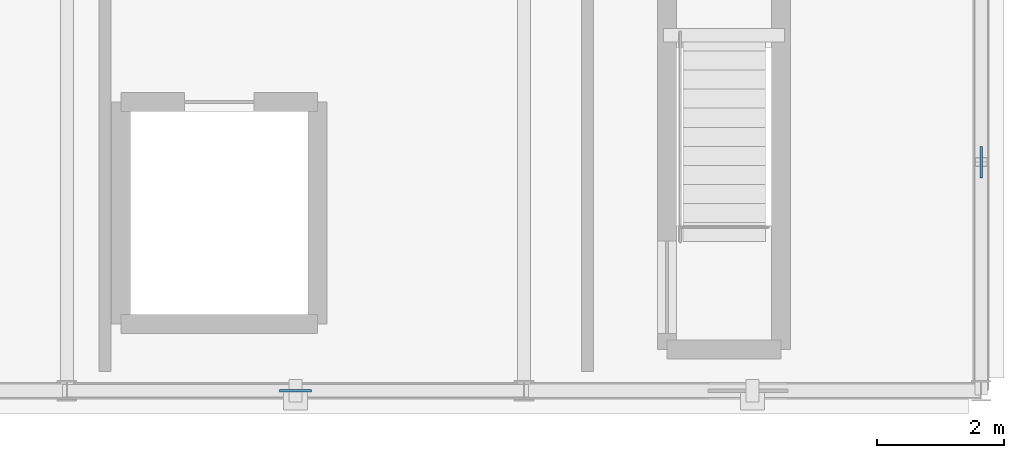
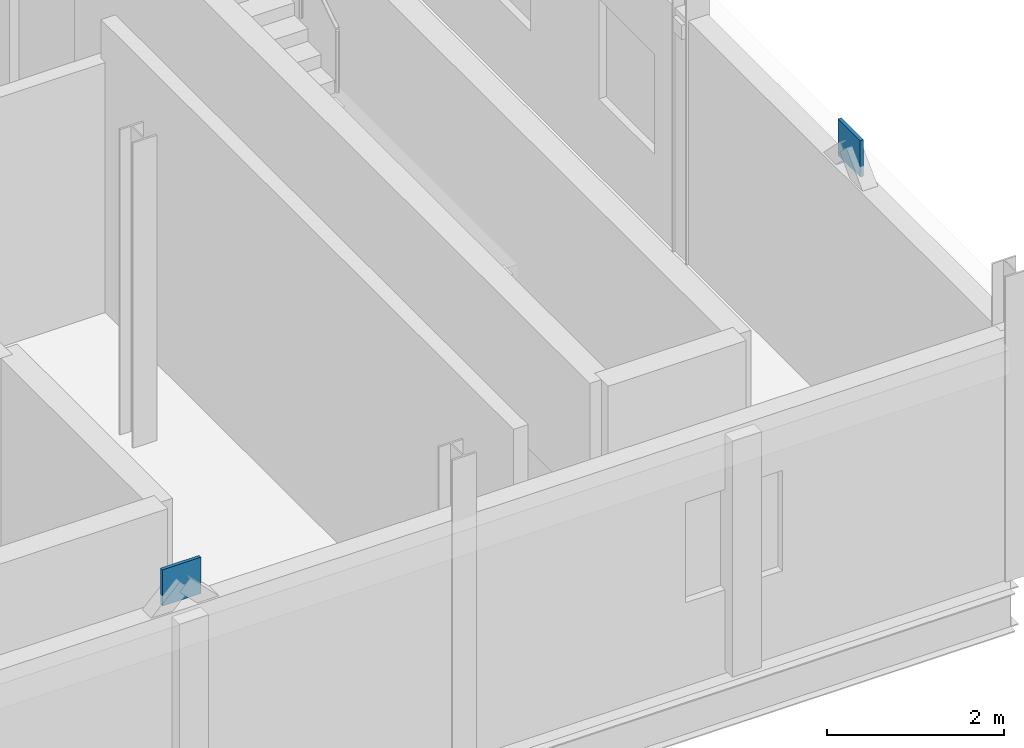
# One storey, part 37 of 47: 2 plates.
"""IFC4 building model written with IfcOpenShell, lengths in metres."""

from ifc_helpers import new_model, si_unit, direction, frame, origin, origin_2d, place, context, subcontext, project, spatial, rectangle, extrude, material, layer, layer_set, type_object, element, save


model = new_model("IFC4")

# Units and contexts
model_context = context("Model", 3, precision=1e-05, world=origin(), true_north=direction((0.0, 1.0)))
body_context = subcontext(model_context, "Body", "Model", "MODEL_VIEW")
ifc_project = project(units=[si_unit("LENGTHUNIT", "METRE"), si_unit("AREAUNIT", "SQUARE_METRE"), si_unit("VOLUMEUNIT", "CUBIC_METRE"), si_unit("PLANEANGLEUNIT", "RADIAN"), si_unit("MASSUNIT", "GRAM", prefix="KILO")], contexts=[model_context])

# Site, building, storey
site_placement = place(None, origin())
site = spatial("IfcSite", under=ifc_project, at=site_placement, CompositionType="ELEMENT")
building_placement = place(site_placement, origin())
building = spatial("IfcBuilding", under=site, at=building_placement, Name="Yarey Park Central Fire Station", CompositionType="ELEMENT")
storey_placement = place(building_placement, frame((0.0, 0.0, 18.0)))
storey = spatial("IfcBuildingStorey", under=building, at=storey_placement, Name="L05", CompositionType="ELEMENT", Elevation=18.0)

# Plates
ifc_material = material(Name="Steel ASTM A572 Gr. 50", Category="steel")
ifc_layer = layer(ifc_material, 0.0419921875)
ifc_layer_set = layer_set([ifc_layer], Name="Steel ASTM A572 Gr. 50")
plate_type = type_object("IfcPlateType", Name="STR_PLT_NODE2", PredefinedType="USERDEFINED", material=ifc_layer_set)
plate_1_placement = place(storey_placement, frame((165.60009765625, 3.60009765625, 3.39990234375), z_axis=(0.0, 0.0, 1.0), x_axis=(1.0, 0.0, 0.0)))
element("IfcPlate", 1, at=plate_1_placement, inside=storey, type_object=plate_type, Name="NODE_PLT_DT_L05_1", ObjectType="GUSSET_PLATE", PredefinedType="USERDEFINED", context=body_context, shape_type="SweptSolid", body=[
    extrude(rectangle(XDim=0.0419921875, YDim=0.5, at=origin_2d()), origin(), (0.0, 0.0, 1.0), 0.5),
])
plate_2_placement = place(storey_placement, frame((154.800048828125, 0.0, 3.39990234375), z_axis=(0.0, 0.0, 1.0), x_axis=(1.0, 0.0, 0.0)))
element("IfcPlate", 2, at=plate_2_placement, inside=storey, type_object=plate_type, Name="NODE_PLT_DT_L05_2", ObjectType="GUSSET_PLATE", PredefinedType="USERDEFINED", context=body_context, shape_type="SweptSolid", body=[
    extrude(rectangle(XDim=0.5, YDim=0.0419921875, at=origin_2d()), origin(), (0.0, 0.0, 1.0), 0.5),
])

save(model, "model.ifc")
